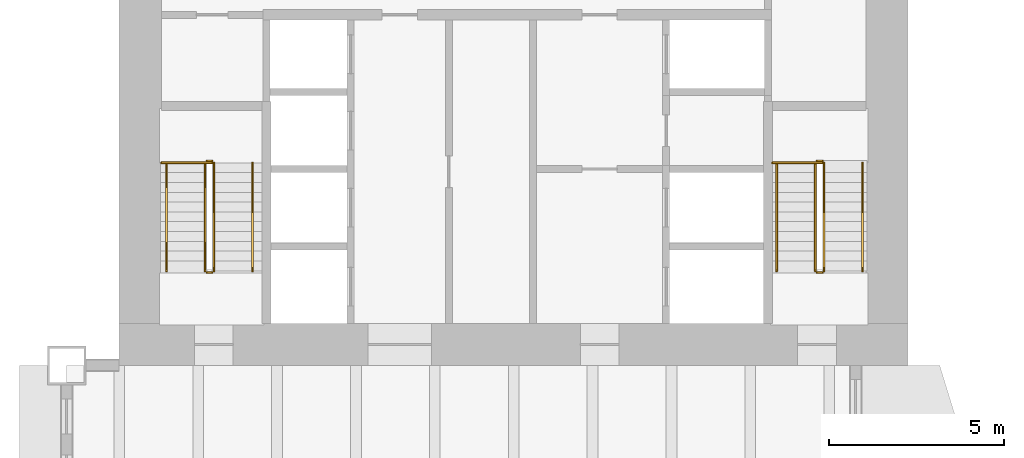
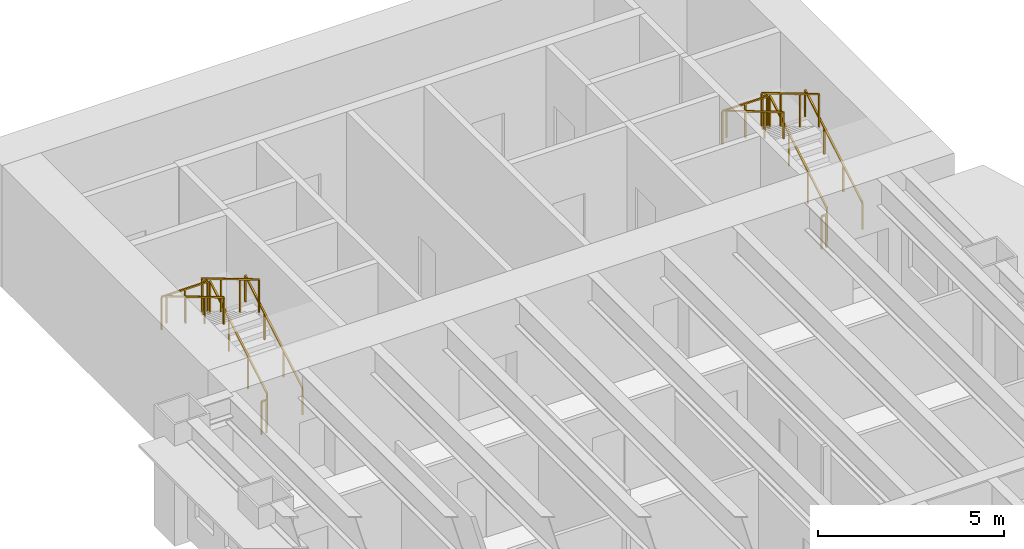
# One storey, part 16 of 16: 14 railings.
"""IFC4 building model written with IfcOpenShell, lengths in metres."""

from ifc_helpers import new_model, si_unit, direction, frame, origin, origin_2d, place, context, subcontext, project, spatial, rectangle, extrude, material, type_object, element, save


model = new_model("IFC4")

# Units and contexts
model_context = context("Model", 3, precision=1e-05, world=origin(), true_north=direction((0.0, 1.0)))
body_context = subcontext(model_context, "Body", "Model", "MODEL_VIEW")
ifc_project = project(units=[si_unit("LENGTHUNIT", "METRE"), si_unit("AREAUNIT", "SQUARE_METRE"), si_unit("VOLUMEUNIT", "CUBIC_METRE"), si_unit("PLANEANGLEUNIT", "RADIAN"), si_unit("MASSUNIT", "GRAM", prefix="KILO")], contexts=[model_context])

# Site, building, storey
site_placement = place(None, origin())
site = spatial("IfcSite", under=ifc_project, at=site_placement, CompositionType="ELEMENT")
building_placement = place(site_placement, origin())
building = spatial("IfcBuilding", under=site, at=building_placement, Name="Sennacour Bend Tower", CompositionType="ELEMENT")
storey_placement = place(building_placement, frame((0.0, 0.0, 57.0)))
storey = spatial("IfcBuildingStorey", under=building, at=storey_placement, Name="L12", CompositionType="ELEMENT", Elevation=57.0)

# Railings
ifc_material = material(Name="Stainless steel", Category="steel")
railing_type_1 = type_object("IfcRailingType", Name="RL-GUARD-1100", PredefinedType="GUARDRAIL", material=ifc_material)
railing_1_placement = place(storey_placement, frame((2.699951171875, 38.699951171875, 0.166748046875)))
element("IfcRailing", 1, at=railing_1_placement, inside=storey, type_object=railing_type_1, Name="L12 SB1 stair guard 1", PredefinedType="GUARDRAIL", context=body_context, shape_type="SweptSolid", body=[
    extrude(rectangle(XDim=0.048095703125, YDim=0.048095703125, at=origin_2d()), frame((0.0, 0.0, 1.076171875), z_axis=(0.0, 0.859308565015, 0.511457515432), x_axis=(-1.0, 0.0, 0.0)), (0.0, 0.0, 1.0), 3.58447265625),
    extrude(rectangle(XDim=0.0419921875, YDim=0.0419921875, at=origin_2d()), origin(), (0.0, 0.0, 1.0), 1.052001953125),
    extrude(rectangle(XDim=0.0419921875, YDim=0.0419921875, at=origin_2d()), frame((0.0, 1.026611328125, 0.611083984375)), (0.0, 0.0, 1.0), 1.052001953125),
    extrude(rectangle(XDim=0.0419921875, YDim=0.0419921875, at=origin_2d()), frame((0.0, 2.053466796875, 1.22216796875)), (0.0, 0.0, 1.0), 1.052001953125),
    extrude(rectangle(XDim=0.0419921875, YDim=0.0419921875, at=origin_2d()), frame((0.0, 3.080078125, 1.833251953125)), (0.0, 0.0, 1.0), 1.052001953125),
])
railing_2_placement = place(storey_placement, frame((2.64990234375, 41.830078125, 2.0)))
element("IfcRailing", 2, at=railing_2_placement, inside=storey, type_object=railing_type_1, Name="L12 SB1 stair guard 2", PredefinedType="GUARDRAIL", context=body_context, shape_type="SweptSolid", body=[
    extrude(rectangle(XDim=0.048095703125, YDim=0.048095703125, at=origin_2d()), frame((0.0, 0.0, 1.076171875), z_axis=(-1.0, 0.0, 0.0), x_axis=(0.0, -1.0, 0.0)), (0.0, 0.0, 1.0), 0.14990234375),
    extrude(rectangle(XDim=0.0419921875, YDim=0.0419921875, at=origin_2d()), origin(), (0.0, 0.0, 1.0), 1.052001953125),
    extrude(rectangle(XDim=0.0419921875, YDim=0.0419921875, at=origin_2d()), frame((-0.14990234375, 0.0, 0.0)), (0.0, 0.0, 1.0), 1.052001953125),
])
railing_3_placement = place(storey_placement, frame((2.449951171875, 41.780029296875, 2.166748046875)))
element("IfcRailing", 3, at=railing_3_placement, inside=storey, type_object=railing_type_1, Name="L12 SB1 stair guard 4", PredefinedType="GUARDRAIL", context=body_context, shape_type="SweptSolid", body=[
    extrude(rectangle(XDim=0.048095703125, YDim=0.048095703125, at=origin_2d()), frame((0.0, 0.0, 1.076171875), z_axis=(0.0, -0.859308565015, 0.511457515432), x_axis=(1.0, 0.0, 0.0)), (0.0, 0.0, 1.0), 3.58447265625),
    extrude(rectangle(XDim=0.0419921875, YDim=0.0419921875, at=origin_2d()), origin(), (0.0, 0.0, 1.0), 1.052001953125),
    extrude(rectangle(XDim=0.0419921875, YDim=0.0419921875, at=origin_2d()), frame((0.0, -1.026611328125, 0.611083984375)), (0.0, 0.0, 1.0), 1.052001953125),
    extrude(rectangle(XDim=0.0419921875, YDim=0.0419921875, at=origin_2d()), frame((0.0, -2.053466796875, 1.22216796875)), (0.0, 0.0, 1.0), 1.052001953125),
    extrude(rectangle(XDim=0.0419921875, YDim=0.0419921875, at=origin_2d()), frame((0.0, -3.080078125, 1.833251953125)), (0.0, 0.0, 1.0), 1.052001953125),
])
railing_4_placement = place(storey_placement, frame((2.64990234375, 38.64990234375, 0.0)))
element("IfcRailing", 4, at=railing_4_placement, inside=storey, type_object=railing_type_1, Name="L12 SB1 stair guard 5", PredefinedType="GUARDRAIL", context=body_context, shape_type="SweptSolid", body=[
    extrude(rectangle(XDim=0.048095703125, YDim=0.048095703125, at=origin_2d()), frame((0.0, 0.0, 1.076171875), z_axis=(-1.0, 0.0, 0.0), x_axis=(0.0, -1.0, 0.0)), (0.0, 0.0, 1.0), 0.14990234375),
    extrude(rectangle(XDim=0.0419921875, YDim=0.0419921875, at=origin_2d()), origin(), (0.0, 0.0, 1.0), 1.052001953125),
    extrude(rectangle(XDim=0.0419921875, YDim=0.0419921875, at=origin_2d()), frame((-0.14990234375, 0.0, 0.0)), (0.0, 0.0, 1.0), 1.052001953125),
])
railing_5_placement = place(storey_placement, frame((2.64990234375, 41.780029296875, 2.0)))
element("IfcRailing", 5, at=railing_5_placement, inside=storey, type_object=railing_type_1, Name="L12 SB1 landing edge guard 31", PredefinedType="GUARDRAIL", context=body_context, shape_type="SweptSolid", body=[
    extrude(rectangle(XDim=0.048095703125, YDim=0.048095703125, at=origin_2d()), frame((0.0, 0.0, 1.076171875), z_axis=(-1.0, 0.0, 0.0), x_axis=(0.0, -1.0, 0.0)), (0.0, 0.0, 1.0), 1.449951171875),
    extrude(rectangle(XDim=0.0419921875, YDim=0.0419921875, at=origin_2d()), origin(), (0.0, 0.0, 1.0), 1.052001953125),
    extrude(rectangle(XDim=0.0419921875, YDim=0.0419921875, at=origin_2d()), frame((-0.72509765625, 0.0, 0.0)), (0.0, 0.0, 1.0), 1.052001953125),
    extrude(rectangle(XDim=0.0419921875, YDim=0.0419921875, at=origin_2d()), frame((-1.449951171875, 0.0, 0.0)), (0.0, 0.0, 1.0), 1.052001953125),
])
railing_6_placement = place(storey_placement, frame((20.10009765625, 38.699951171875, 0.166748046875)))
element("IfcRailing", 6, at=railing_6_placement, inside=storey, type_object=railing_type_1, Name="L12 SB2 stair guard 1", PredefinedType="GUARDRAIL", context=body_context, shape_type="SweptSolid", body=[
    extrude(rectangle(XDim=0.048095703125, YDim=0.048095703125, at=origin_2d()), frame((0.0, 0.0, 1.076171875), z_axis=(0.0, 0.859308565015, 0.511457515432), x_axis=(-1.0, 0.0, 0.0)), (0.0, 0.0, 1.0), 3.58447265625),
    extrude(rectangle(XDim=0.0419921875, YDim=0.0419921875, at=origin_2d()), origin(), (0.0, 0.0, 1.0), 1.052001953125),
    extrude(rectangle(XDim=0.0419921875, YDim=0.0419921875, at=origin_2d()), frame((0.0, 1.026611328125, 0.611083984375)), (0.0, 0.0, 1.0), 1.052001953125),
    extrude(rectangle(XDim=0.0419921875, YDim=0.0419921875, at=origin_2d()), frame((0.0, 2.053466796875, 1.22216796875)), (0.0, 0.0, 1.0), 1.052001953125),
    extrude(rectangle(XDim=0.0419921875, YDim=0.0419921875, at=origin_2d()), frame((0.0, 3.080078125, 1.833251953125)), (0.0, 0.0, 1.0), 1.052001953125),
])
railing_7_placement = place(storey_placement, frame((20.050048828125, 41.830078125, 2.0)))
element("IfcRailing", 7, at=railing_7_placement, inside=storey, type_object=railing_type_1, Name="L12 SB2 stair guard 2", PredefinedType="GUARDRAIL", context=body_context, shape_type="SweptSolid", body=[
    extrude(rectangle(XDim=0.048095703125, YDim=0.048095703125, at=origin_2d()), frame((0.0, 0.0, 1.076171875), z_axis=(-1.0, 0.0, 0.0), x_axis=(0.0, -1.0, 0.0)), (0.0, 0.0, 1.0), 0.150146484375),
    extrude(rectangle(XDim=0.0419921875, YDim=0.0419921875, at=origin_2d()), origin(), (0.0, 0.0, 1.0), 1.052001953125),
    extrude(rectangle(XDim=0.0419921875, YDim=0.0419921875, at=origin_2d()), frame((-0.150146484375, 0.0, 0.0)), (0.0, 0.0, 1.0), 1.052001953125),
])
railing_8_placement = place(storey_placement, frame((19.85009765625, 41.780029296875, 2.166748046875)))
element("IfcRailing", 8, at=railing_8_placement, inside=storey, type_object=railing_type_1, Name="L12 SB2 stair guard 4", PredefinedType="GUARDRAIL", context=body_context, shape_type="SweptSolid", body=[
    extrude(rectangle(XDim=0.048095703125, YDim=0.048095703125, at=origin_2d()), frame((0.0, 0.0, 1.076171875), z_axis=(0.0, -0.859308565015, 0.511457515432), x_axis=(1.0, 0.0, 0.0)), (0.0, 0.0, 1.0), 3.58447265625),
    extrude(rectangle(XDim=0.0419921875, YDim=0.0419921875, at=origin_2d()), origin(), (0.0, 0.0, 1.0), 1.052001953125),
    extrude(rectangle(XDim=0.0419921875, YDim=0.0419921875, at=origin_2d()), frame((0.0, -1.026611328125, 0.611083984375)), (0.0, 0.0, 1.0), 1.052001953125),
    extrude(rectangle(XDim=0.0419921875, YDim=0.0419921875, at=origin_2d()), frame((0.0, -2.053466796875, 1.22216796875)), (0.0, 0.0, 1.0), 1.052001953125),
    extrude(rectangle(XDim=0.0419921875, YDim=0.0419921875, at=origin_2d()), frame((0.0, -3.080078125, 1.833251953125)), (0.0, 0.0, 1.0), 1.052001953125),
])
railing_9_placement = place(storey_placement, frame((20.050048828125, 38.64990234375, 0.0)))
element("IfcRailing", 9, at=railing_9_placement, inside=storey, type_object=railing_type_1, Name="L12 SB2 stair guard 5", PredefinedType="GUARDRAIL", context=body_context, shape_type="SweptSolid", body=[
    extrude(rectangle(XDim=0.048095703125, YDim=0.048095703125, at=origin_2d()), frame((0.0, 0.0, 1.076171875), z_axis=(-1.0, 0.0, 0.0), x_axis=(0.0, -1.0, 0.0)), (0.0, 0.0, 1.0), 0.150146484375),
    extrude(rectangle(XDim=0.0419921875, YDim=0.0419921875, at=origin_2d()), origin(), (0.0, 0.0, 1.0), 1.052001953125),
    extrude(rectangle(XDim=0.0419921875, YDim=0.0419921875, at=origin_2d()), frame((-0.150146484375, 0.0, 0.0)), (0.0, 0.0, 1.0), 1.052001953125),
])
railing_10_placement = place(storey_placement, frame((20.050048828125, 41.780029296875, 2.0)))
element("IfcRailing", 10, at=railing_10_placement, inside=storey, type_object=railing_type_1, Name="L12 SB2 landing edge guard 23", PredefinedType="GUARDRAIL", context=body_context, shape_type="SweptSolid", body=[
    extrude(rectangle(XDim=0.048095703125, YDim=0.048095703125, at=origin_2d()), frame((0.0, 0.0, 1.076171875), z_axis=(-1.0, 0.0, 0.0), x_axis=(0.0, -1.0, 0.0)), (0.0, 0.0, 1.0), 1.425048828125),
    extrude(rectangle(XDim=0.0419921875, YDim=0.0419921875, at=origin_2d()), origin(), (0.0, 0.0, 1.0), 1.052001953125),
    extrude(rectangle(XDim=0.0419921875, YDim=0.0419921875, at=origin_2d()), frame((-0.71240234375, 0.0, 0.0)), (0.0, 0.0, 1.0), 1.052001953125),
    extrude(rectangle(XDim=0.0419921875, YDim=0.0419921875, at=origin_2d()), frame((-1.425048828125, 0.0, 0.0)), (0.0, 0.0, 1.0), 1.052001953125),
])
railing_type_2 = type_object("IfcRailingType", Name="RL-HANDRAIL-900", PredefinedType="HANDRAIL", material=ifc_material)
railing_11_placement = place(storey_placement, frame((3.800048828125, 38.699951171875, 0.166748046875)))
element("IfcRailing", 11, at=railing_11_placement, inside=storey, type_object=railing_type_2, Name="L12 SB1 stair handrail 1", PredefinedType="HANDRAIL", context=body_context, shape_type="SweptSolid", body=[
    extrude(rectangle(XDim=0.048095703125, YDim=0.048095703125, at=origin_2d()), frame((0.0, 0.0, 0.8759765625), z_axis=(0.0, 0.859308565015, 0.511457515432), x_axis=(-1.0, 0.0, 0.0)), (0.0, 0.0, 1.0), 3.58447265625),
    extrude(rectangle(XDim=0.0419921875, YDim=0.0419921875, at=origin_2d()), origin(), (0.0, 0.0, 1.0), 0.851806640625),
    extrude(rectangle(XDim=0.0419921875, YDim=0.0419921875, at=origin_2d()), frame((0.0, 1.026611328125, 0.611083984375)), (0.0, 0.0, 1.0), 0.851806640625),
    extrude(rectangle(XDim=0.0419921875, YDim=0.0419921875, at=origin_2d()), frame((0.0, 2.053466796875, 1.22216796875)), (0.0, 0.0, 1.0), 0.851806640625),
    extrude(rectangle(XDim=0.0419921875, YDim=0.0419921875, at=origin_2d()), frame((0.0, 3.080078125, 1.833251953125)), (0.0, 0.0, 1.0), 0.851806640625),
])
railing_12_placement = place(storey_placement, frame((1.35009765625, 41.780029296875, 2.166748046875)))
element("IfcRailing", 12, at=railing_12_placement, inside=storey, type_object=railing_type_2, Name="L12 SB1 stair handrail 2", PredefinedType="HANDRAIL", context=body_context, shape_type="SweptSolid", body=[
    extrude(rectangle(XDim=0.048095703125, YDim=0.048095703125, at=origin_2d()), frame((0.0, 0.0, 0.8759765625), z_axis=(0.0, -0.859308565015, 0.511457515432), x_axis=(1.0, 0.0, 0.0)), (0.0, 0.0, 1.0), 3.58447265625),
    extrude(rectangle(XDim=0.0419921875, YDim=0.0419921875, at=origin_2d()), origin(), (0.0, 0.0, 1.0), 0.851806640625),
    extrude(rectangle(XDim=0.0419921875, YDim=0.0419921875, at=origin_2d()), frame((0.0, -1.026611328125, 0.611083984375)), (0.0, 0.0, 1.0), 0.851806640625),
    extrude(rectangle(XDim=0.0419921875, YDim=0.0419921875, at=origin_2d()), frame((0.0, -2.053466796875, 1.22216796875)), (0.0, 0.0, 1.0), 0.851806640625),
    extrude(rectangle(XDim=0.0419921875, YDim=0.0419921875, at=origin_2d()), frame((0.0, -3.080078125, 1.833251953125)), (0.0, 0.0, 1.0), 0.851806640625),
])
railing_13_placement = place(storey_placement, frame((21.199951171875, 38.699951171875, 0.166748046875)))
element("IfcRailing", 13, at=railing_13_placement, inside=storey, type_object=railing_type_2, Name="L12 SB2 stair handrail 1", PredefinedType="HANDRAIL", context=body_context, shape_type="SweptSolid", body=[
    extrude(rectangle(XDim=0.048095703125, YDim=0.048095703125, at=origin_2d()), frame((0.0, 0.0, 0.8759765625), z_axis=(0.0, 0.859308565015, 0.511457515432), x_axis=(-1.0, 0.0, 0.0)), (0.0, 0.0, 1.0), 3.58447265625),
    extrude(rectangle(XDim=0.0419921875, YDim=0.0419921875, at=origin_2d()), origin(), (0.0, 0.0, 1.0), 0.851806640625),
    extrude(rectangle(XDim=0.0419921875, YDim=0.0419921875, at=origin_2d()), frame((0.0, 1.026611328125, 0.611083984375)), (0.0, 0.0, 1.0), 0.851806640625),
    extrude(rectangle(XDim=0.0419921875, YDim=0.0419921875, at=origin_2d()), frame((0.0, 2.053466796875, 1.22216796875)), (0.0, 0.0, 1.0), 0.851806640625),
    extrude(rectangle(XDim=0.0419921875, YDim=0.0419921875, at=origin_2d()), frame((0.0, 3.080078125, 1.833251953125)), (0.0, 0.0, 1.0), 0.851806640625),
])
railing_14_placement = place(storey_placement, frame((18.75, 41.780029296875, 2.166748046875)))
element("IfcRailing", 14, at=railing_14_placement, inside=storey, type_object=railing_type_2, Name="L12 SB2 stair handrail 2", PredefinedType="HANDRAIL", context=body_context, shape_type="SweptSolid", body=[
    extrude(rectangle(XDim=0.048095703125, YDim=0.048095703125, at=origin_2d()), frame((0.0, 0.0, 0.8759765625), z_axis=(0.0, -0.859308565015, 0.511457515432), x_axis=(1.0, 0.0, 0.0)), (0.0, 0.0, 1.0), 3.58447265625),
    extrude(rectangle(XDim=0.0419921875, YDim=0.0419921875, at=origin_2d()), origin(), (0.0, 0.0, 1.0), 0.851806640625),
    extrude(rectangle(XDim=0.0419921875, YDim=0.0419921875, at=origin_2d()), frame((0.0, -1.026611328125, 0.611083984375)), (0.0, 0.0, 1.0), 0.851806640625),
    extrude(rectangle(XDim=0.0419921875, YDim=0.0419921875, at=origin_2d()), frame((0.0, -2.053466796875, 1.22216796875)), (0.0, 0.0, 1.0), 0.851806640625),
    extrude(rectangle(XDim=0.0419921875, YDim=0.0419921875, at=origin_2d()), frame((0.0, -3.080078125, 1.833251953125)), (0.0, 0.0, 1.0), 0.851806640625),
])

save(model, "model.ifc")
